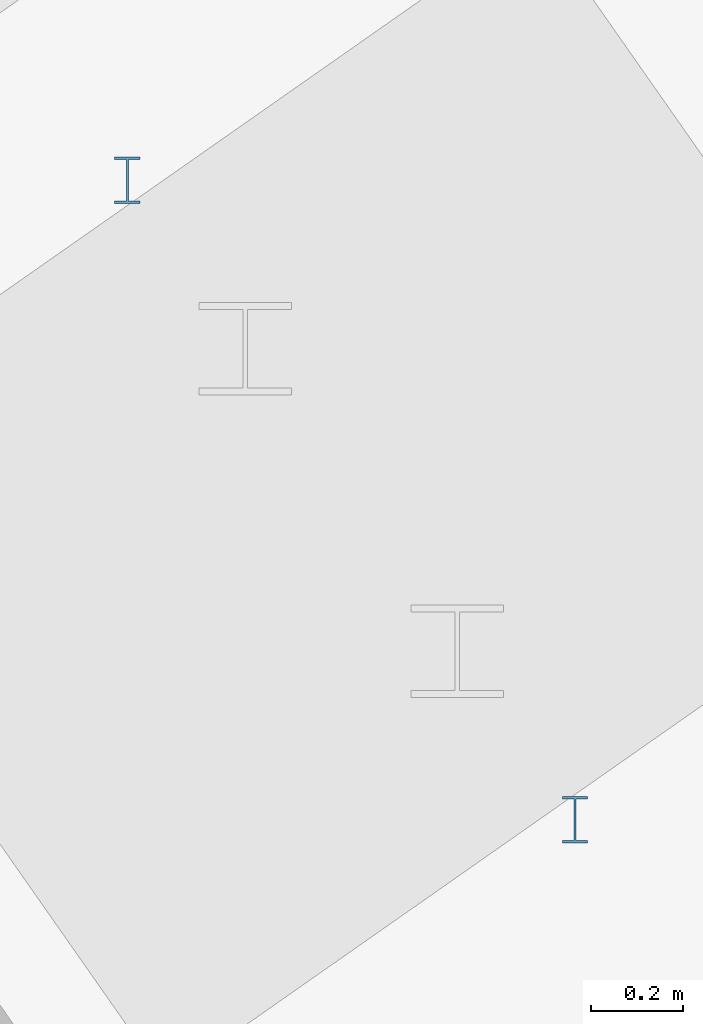
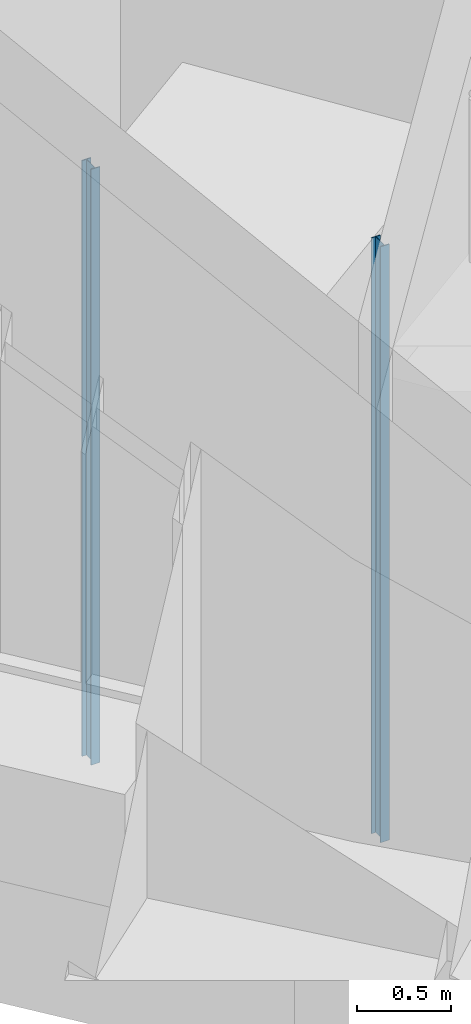
# One storey, part 13 of 65: 2 members.
"""IFC4 building model written with IfcOpenShell, lengths in metres."""

from ifc_helpers import new_model, si_unit, direction, frame, origin, origin_2d, place, context, subcontext, project, spatial, i_section, extrude, material, material_profile, profile_set, type_object, element, save


model = new_model("IFC4")

# Units and contexts
model_context = context("Model", 3, precision=1e-05, world=origin(), true_north=direction((0.0, 1.0)))
body_context = subcontext(model_context, "Body", "Model", "MODEL_VIEW")
ifc_project = project(units=[si_unit("LENGTHUNIT", "METRE"), si_unit("AREAUNIT", "SQUARE_METRE"), si_unit("VOLUMEUNIT", "CUBIC_METRE"), si_unit("PLANEANGLEUNIT", "RADIAN"), si_unit("MASSUNIT", "GRAM", prefix="KILO")], contexts=[model_context])

# Site, building, storey
site_placement = place(None, origin())
site = spatial("IfcSite", under=ifc_project, at=site_placement, CompositionType="ELEMENT")
building_placement = place(site_placement, origin())
building = spatial("IfcBuilding", under=site, at=building_placement, Name="Volute Hill Aquarium", CompositionType="ELEMENT")
storey_placement = place(building_placement, frame((0.0, 0.0, -5.5)))
storey = spatial("IfcBuildingStorey", under=building, at=storey_placement, Name="L00", CompositionType="ELEMENT", Elevation=-5.5)

# Members
ifc_material = material(Name="Steel S355", Category="steel")
ifc_material_profile = material_profile(ifc_material, i_section(OverallWidth=0.054931640625, OverallDepth=0.10009765625, WebThickness=0.004150390625, FlangeThickness=0.005615234375, at=origin_2d()), Name="IPE 100")
ifc_profile_set = profile_set([ifc_material_profile], Name="Steel S355")
member_type = type_object("IfcMemberType", Name="Lift guide rail IPE 100", PredefinedType="POST", material=ifc_profile_set)
for number, where, z_axis, x_axis, name in (
    (1, (-26.861083984375, -19.60791015625, -1.39990234375), (0.0, 0.0, 1.0), (1.0, 0.0, 0.0), "LR-S2-A 1"),
    (2, (-25.891845703125, -20.9921875, -1.39990234375), (0.0, 0.0, 1.0), (1.0, 0.0, 0.0), "LR-S2-A 2"),
):
    element("IfcMember", number, at=place(storey_placement, frame(where, z_axis=z_axis, x_axis=x_axis)), inside=storey, type_object=member_type, Name=name, PredefinedType="POST", context=body_context, shape_type="SweptSolid", body=[
        extrude(i_section(OverallWidth=0.054931640625, OverallDepth=0.10009765625, WebThickness=0.004150390625, FlangeThickness=0.005615234375, at=origin_2d()), origin(), (0.0, 0.0, 1.0), 3.849853515625),
    ])

save(model, "model.ifc")
